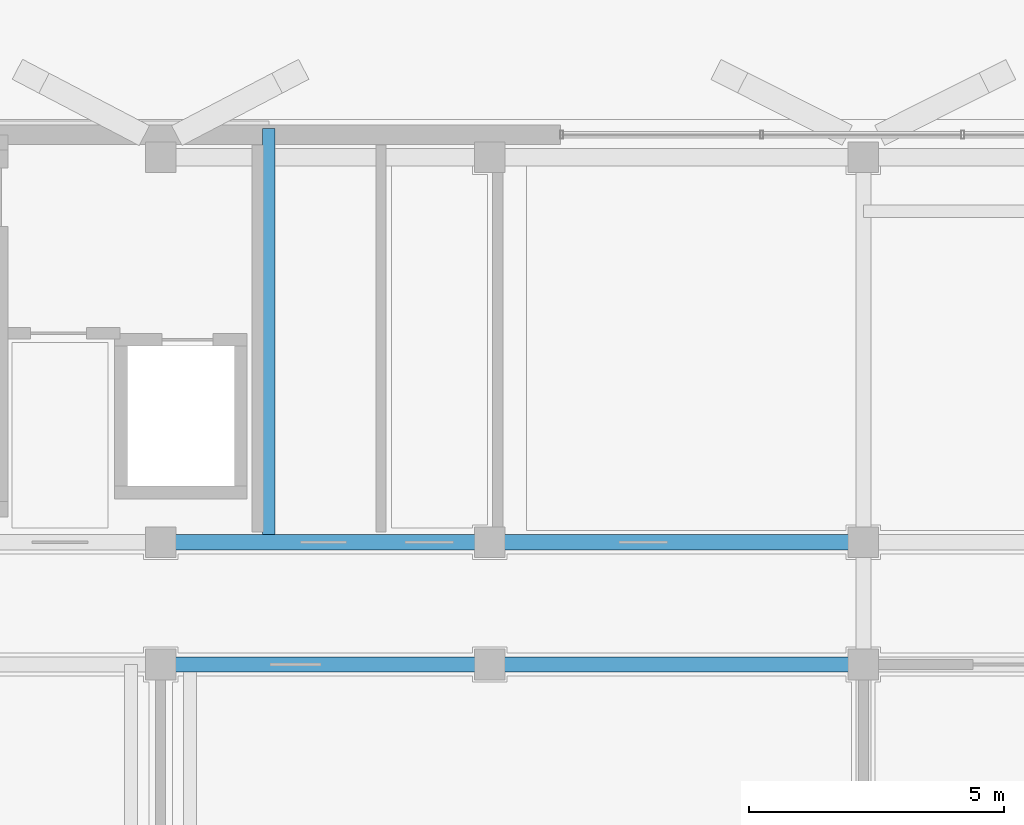
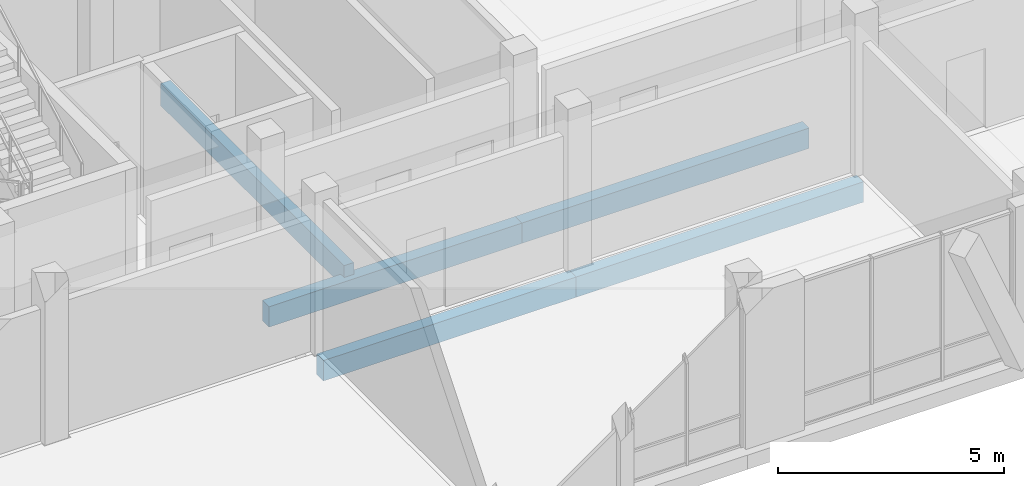
# One storey, part 37 of 233: 5 beams.
"""IFC4 building model written with IfcOpenShell, lengths in metres."""

from ifc_helpers import new_model, si_unit, direction, frame, origin, origin_2d, place, context, subcontext, project, spatial, rectangle, extrude, material, material_profile, profile_set, type_object, element, save


model = new_model("IFC4")

# Units and contexts
model_context = context("Model", 3, precision=1e-05, world=origin(), true_north=direction((0.0, 1.0)))
body_context = subcontext(model_context, "Body", "Model", "MODEL_VIEW")
ifc_project = project(units=[si_unit("LENGTHUNIT", "METRE"), si_unit("AREAUNIT", "SQUARE_METRE"), si_unit("VOLUMEUNIT", "CUBIC_METRE"), si_unit("PLANEANGLEUNIT", "RADIAN"), si_unit("MASSUNIT", "GRAM", prefix="KILO")], contexts=[model_context])

# Site, building, storey
site_placement = place(None, origin())
site = spatial("IfcSite", under=ifc_project, at=site_placement, CompositionType="ELEMENT")
building_placement = place(site_placement, origin())
building = spatial("IfcBuilding", under=site, at=building_placement, Name="Zavelmont Quarter", CompositionType="ELEMENT")
storey_placement = place(building_placement, origin())
storey = spatial("IfcBuildingStorey", under=building, at=storey_placement, Name="L00", CompositionType="ELEMENT", Elevation=0.0)

# Beams
ifc_material_1 = material(Name="Concrete C35/45", Category="concrete")
ifc_material_profile_1 = material_profile(ifc_material_1, rectangle(XDim=0.300048828125, YDim=0.550048828125, at=origin_2d()), Name="RC300X550")
ifc_profile_set_1 = profile_set([ifc_material_profile_1], Name="Concrete C35/45")
beam_type_1 = type_object("IfcBeamType", Name="BM02", PredefinedType="SPANDREL", material=ifc_profile_set_1)
beam_1_placement = place(storey_placement, frame((34.5, 8.0, -0.594970703125), z_axis=(1.0, 0.0, 0.0), x_axis=(0.0, 1.0, 0.0)))
element("IfcBeam", 1, at=beam_1_placement, inside=storey, type_object=beam_type_1, Name="L00 beam BM02 6/B to 7/B", PredefinedType="SPANDREL", context=body_context, shape_type="SweptSolid", body=[
    extrude(rectangle(XDim=0.300048828125, YDim=0.550048828125, at=origin_2d()), origin(), (0.0, 0.0, 1.0), 6.4599609375),
])
beam_2_placement = place(storey_placement, frame((40.9599609375, 8.0, -0.594970703125), z_axis=(1.0, 0.0, 0.0), x_axis=(0.0, 1.0, 0.0)))
element("IfcBeam", 2, at=beam_2_placement, inside=storey, type_object=beam_type_1, Name="L00 beam BM02 7/B to 8/B", PredefinedType="SPANDREL", context=body_context, shape_type="SweptSolid", body=[
    extrude(rectangle(XDim=0.300048828125, YDim=0.550048828125, at=origin_2d()), origin(), (0.0, 0.0, 1.0), 7.340087890625),
])
beam_3_placement = place(storey_placement, frame((34.5, 10.39990234375, -0.594970703125), z_axis=(1.0, 0.0, 0.0), x_axis=(0.0, 1.0, 0.0)))
element("IfcBeam", 3, at=beam_3_placement, inside=storey, type_object=beam_type_1, Name="L00 beam BM02 6/C to 7/C", PredefinedType="SPANDREL", context=body_context, shape_type="SweptSolid", body=[
    extrude(rectangle(XDim=0.300048828125, YDim=0.550048828125, at=origin_2d()), origin(), (0.0, 0.0, 1.0), 6.4599609375),
])
beam_4_placement = place(storey_placement, frame((40.9599609375, 10.39990234375, -0.594970703125), z_axis=(1.0, 0.0, 0.0), x_axis=(0.0, 1.0, 0.0)))
element("IfcBeam", 4, at=beam_4_placement, inside=storey, type_object=beam_type_1, Name="L00 beam BM02 7/C to 8/C", PredefinedType="SPANDREL", context=body_context, shape_type="SweptSolid", body=[
    extrude(rectangle(XDim=0.300048828125, YDim=0.550048828125, at=origin_2d()), origin(), (0.0, 0.0, 1.0), 7.340087890625),
])
ifc_material_2 = material(Name="Concrete C40/50", Category="concrete")
ifc_material_profile_2 = material_profile(ifc_material_2, rectangle(XDim=0.25, YDim=0.60009765625, at=origin_2d()), Name="RC250X600")
ifc_profile_set_2 = profile_set([ifc_material_profile_2], Name="Concrete C40/50")
beam_type_2 = type_object("IfcBeamType", Name="BM18", PredefinedType="BEAM", material=ifc_profile_set_2)
beam_5_placement = place(storey_placement, frame((36.625, 10.39990234375, -0.300048828125), z_axis=(0.0, 1.0, 0.0), x_axis=(-1.0, 0.0, 0.0)))
element("IfcBeam", 5, at=beam_5_placement, inside=storey, type_object=beam_type_2, Name="L00 beam BM18 6/C to 6/D", PredefinedType="BEAM", context=body_context, shape_type="SweptSolid", body=[
    extrude(rectangle(XDim=0.25, YDim=0.60009765625, at=origin_2d()), origin(), (0.0, 0.0, 1.0), 8.1201171875),
])

save(model, "model.ifc")
